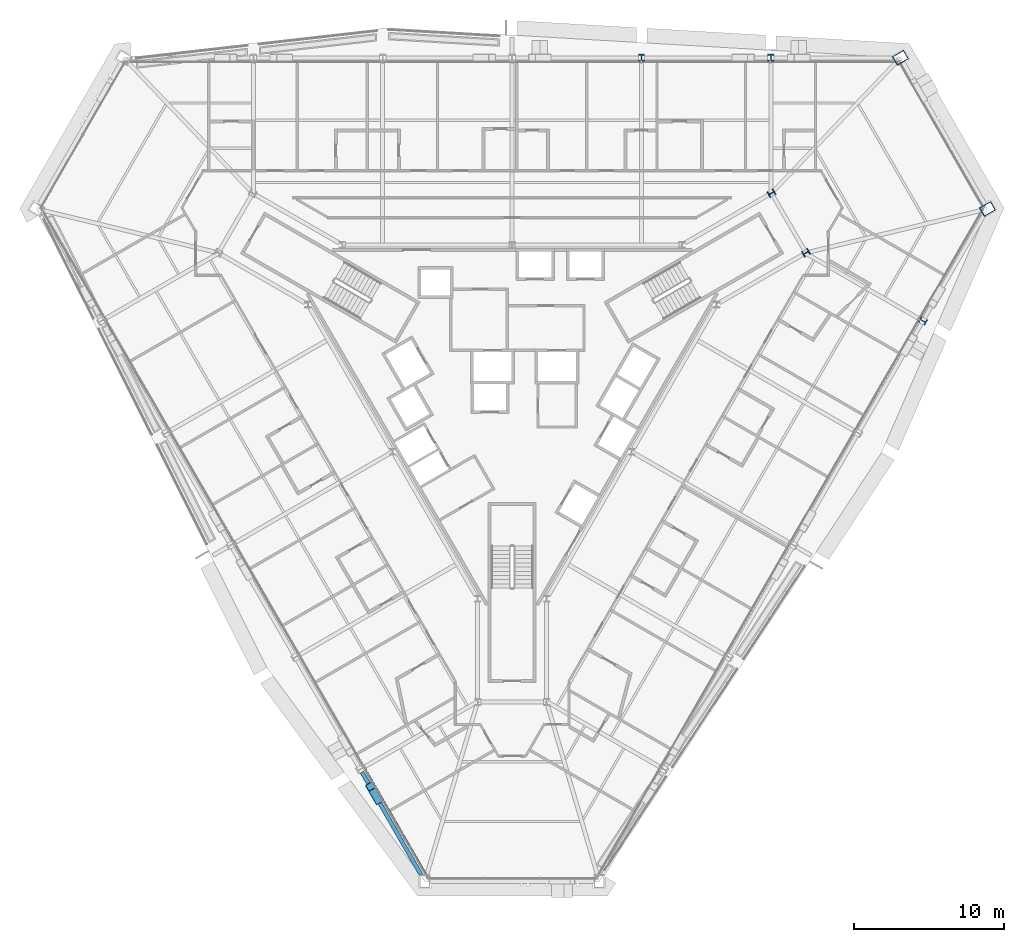
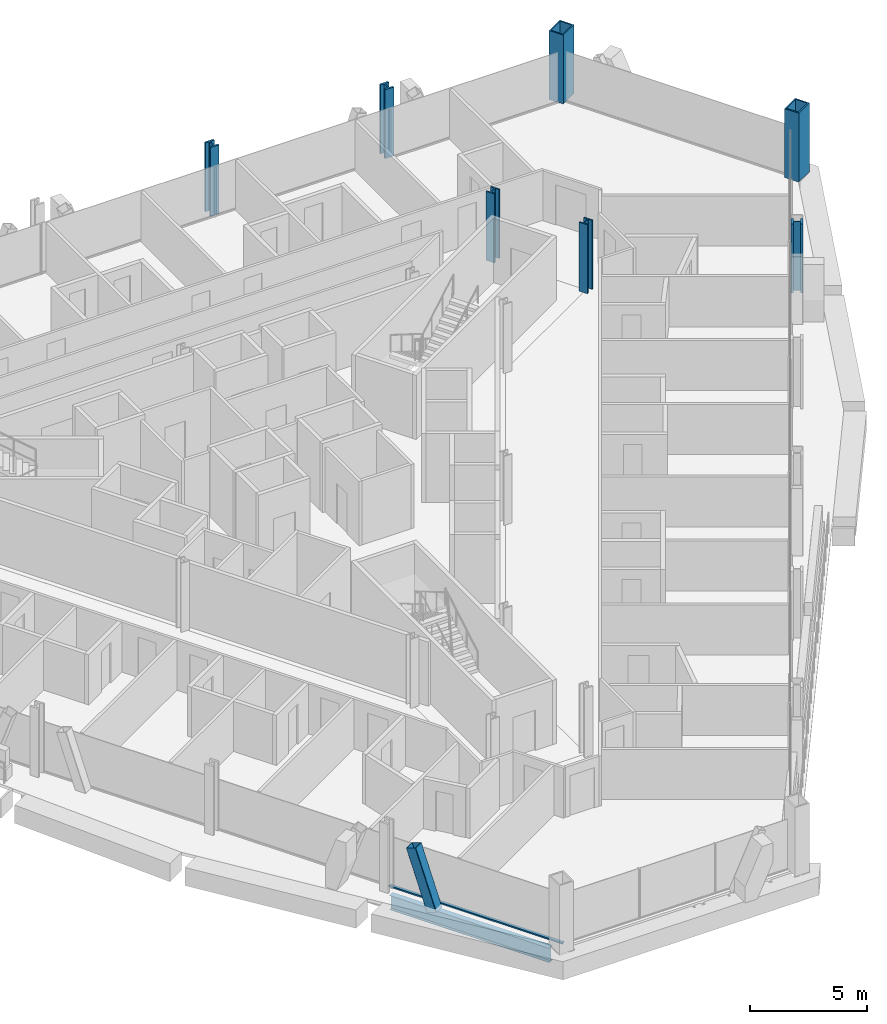
# One storey, part 2 of 18: 7 columns, 2 members, 1 beam, 1 element without a shape of its own.
"""IFC4 building model written with IfcOpenShell, lengths in metres."""

from ifc_helpers import new_model, si_unit, direction, frame, origin, origin_2d, place, context, subcontext, project, spatial, rectangle, hollow_rectangle, i_section, extrude, material, material_profile, profile_set, type_object, element, aggregate, save


model = new_model("IFC4")

# Units and contexts
model_context = context("Model", 3, precision=1e-05, world=origin(), true_north=direction((0.0, 1.0)))
body_context = subcontext(model_context, "Body", "Model", "MODEL_VIEW")
ifc_project = project(units=[si_unit("LENGTHUNIT", "METRE"), si_unit("AREAUNIT", "SQUARE_METRE"), si_unit("VOLUMEUNIT", "CUBIC_METRE"), si_unit("PLANEANGLEUNIT", "RADIAN"), si_unit("MASSUNIT", "GRAM", prefix="KILO")], contexts=[model_context])

# Site, building, storey
site_placement = place(None, origin())
site = spatial("IfcSite", under=ifc_project, at=site_placement, CompositionType="ELEMENT")
building_placement = place(site_placement, origin())
building = spatial("IfcBuilding", under=site, at=building_placement, Name="Verrane Prism Tower", CompositionType="ELEMENT")
storey_placement = place(building_placement, frame((0.0, 0.0, 80.0)))
storey = spatial("IfcBuildingStorey", under=building, at=storey_placement, Name="L18", CompositionType="ELEMENT", Elevation=80.0)

# Columns
ifc_material_1 = material(Name="Steel A992", Category="steel")
ifc_material_profile_1 = material_profile(ifc_material_1, i_section(OverallWidth=0.419189453125, OverallDepth=0.45458984375, WebThickness=0.042236328125, FlangeThickness=0.067626953125, FilletRadius=0.01513671875, at=origin_2d()), Name="W14x370")
ifc_profile_set_1 = profile_set([ifc_material_profile_1], Name="Steel A992")
column_type_1 = type_object("IfcColumnType", Name="Core corner column W14x370", PredefinedType="COLUMN", material=ifc_profile_set_1)
for number, where, z_axis, x_axis, name in (
    (1, (19.60009765625, 8.659912109375, 0.0), (0.0, 0.0, 1.0), (0.5, -0.866025403784, 0.0), "Core corner column CK-NEm L18"),
    (2, (17.300048828125, 12.639892578125, 0.0), (0.0, 0.0, 1.0), (0.5, -0.866025403784, 0.0), "Core corner column CK-NEp L18"),
):
    element("IfcColumn", number, at=place(storey_placement, frame(where, z_axis=z_axis, x_axis=x_axis)), inside=storey, type_object=column_type_1, Name=name, PredefinedType="COLUMN", context=body_context, shape_type="SweptSolid", body=[
        extrude(i_section(OverallWidth=0.419189453125, OverallDepth=0.45458984375, WebThickness=0.042236328125, FlangeThickness=0.067626953125, FilletRadius=0.01513671875, at=origin_2d()), origin(), (0.0, 0.0, 1.0), 3.60009765625),
    ])
ifc_material_2 = material(Name="Steel A572 Grade 50", Category="steel")
ifc_material_profile_2 = material_profile(ifc_material_2, hollow_rectangle(XDim=0.699951171875, YDim=0.89990234375, WallThickness=0.06494140625, at=origin_2d()), Name="BOX 900x700x65")
ifc_profile_set_2 = profile_set([ifc_material_profile_2], Name="Steel A572 Grade 50")
column_type_2 = type_object("IfcColumnType", Name="Megacolumn BOX 900x700x65", PredefinedType="COLUMN", material=ifc_profile_set_2)
for number, where, z_axis, x_axis, name in (
    (3, (25.89990234375, 21.669921875, 0.0), (0.0, 0.0, 1.0), (0.5, -0.866025403784, 0.0), "Megacolumn MC-NE.b L18"),
    (4, (31.7099609375, 11.590087890625, 0.0), (0.0, 0.0, 1.0), (0.5, -0.866025403784, 0.0), "Megacolumn MC-NE.a L18"),
):
    element("IfcColumn", number, at=place(storey_placement, frame(where, z_axis=z_axis, x_axis=x_axis)), inside=storey, type_object=column_type_2, Name=name, PredefinedType="COLUMN", context=body_context, shape_type="SweptSolid", body=[
        extrude(hollow_rectangle(XDim=0.699951171875, YDim=0.89990234375, WallThickness=0.06494140625, at=origin_2d()), origin(), (0.0, 0.0, 1.0), 3.60009765625),
    ])
ifc_material_3 = material(Name="Steel A992", Category="steel")
ifc_material_profile_3 = material_profile(ifc_material_3, i_section(OverallWidth=0.431884765625, OverallDepth=0.497802734375, WebThickness=0.0556640625, FlangeThickness=0.0888671875, FilletRadius=0.01513671875, at=origin_2d()), Name="W14x500")
ifc_profile_set_3 = profile_set([ifc_material_profile_3], Name="Steel A992")
column_type_3 = type_object("IfcColumnType", Name="Perimeter column W14x500", PredefinedType="COLUMN", material=ifc_profile_set_3)
for number, where, z_axis, x_axis, name in (
    (5, (17.260009765625, 21.669921875, 0.0), (0.0, 0.0, 1.0), (1.0, 0.0, 0.0), "Perimeter column PC-N1 L18"),
    (6, (8.6298828125, 21.669921875, 0.0), (0.0, 0.0, 1.0), (1.0, 0.0, 0.0), "Perimeter column PC-N2 L18"),
    (7, (27.39990234375, 4.1201171875, 0.0), (0.0, 0.0, 1.0), (-0.5, -0.866025403784, 0.0), "Perimeter column PC-SE5 L18"),
):
    element("IfcColumn", number, at=place(storey_placement, frame(where, z_axis=z_axis, x_axis=x_axis)), inside=storey, type_object=column_type_3, Name=name, PredefinedType="COLUMN", context=body_context, shape_type="SweptSolid", body=[
        extrude(i_section(OverallWidth=0.431884765625, OverallDepth=0.497802734375, WebThickness=0.0556640625, FlangeThickness=0.0888671875, FilletRadius=0.01513671875, at=origin_2d()), origin(), (0.0, 0.0, 1.0), 3.60009765625),
    ])

# Member
ifc_material_4 = material(Name="Steel A1085 Grade A", Category="steel")
ifc_material_profile_4 = material_profile(ifc_material_4, hollow_rectangle(XDim=0.508056640625, YDim=0.508056640625, WallThickness=0.025390625, InnerFilletRadius=0.0126953125, OuterFilletRadius=0.0380859375, at=origin_2d()), Name="HSS20x20x1")
ifc_profile_set_4 = profile_set([ifc_material_profile_4], Name="Steel A1085 Grade A")
member_type_1 = type_object("IfcMemberType", Name="Facade brace HSS20x20x1", PredefinedType="BRACE", material=ifc_profile_set_4)
member_1_placement = place(storey_placement, frame((-8.94921875, -27.836669921875, -0.24267578125), z_axis=(-0.161782563758, 0.280489656102, 0.946124703664), x_axis=(-0.866236902684, -0.499633494102, 0.0)))
element("IfcMember", 8, at=member_1_placement, inside=storey, type_object=member_type_1, Name="Facade brace SW5 L18", PredefinedType="BRACE", context=body_context, shape_type="SweptSolid", body=[
    extrude(hollow_rectangle(XDim=0.508056640625, YDim=0.508056640625, WallThickness=0.025390625, InnerFilletRadius=0.0126953125, OuterFilletRadius=0.0380859375, at=origin_2d()), origin(), (0.0, 0.0, 1.0), 3.1796875),
])

# Beam
ifc_material_5 = material(Name="Steel A992", Category="steel")
ifc_material_profile_5 = material_profile(ifc_material_5, i_section(OverallWidth=0.2666015625, OverallDepth=0.7568359375, WebThickness=0.013916015625, FlangeThickness=0.019287109375, FilletRadius=0.0166015625, at=origin_2d()), Name="W30x108")
ifc_profile_set_5 = profile_set([ifc_material_profile_5], Name="Steel A992")
beam_type = type_object("IfcBeamType", Name="Spandrel beam W30x108", PredefinedType="SPANDREL", material=ifc_profile_set_5)
beam_placement = place(storey_placement, frame((-10.022216796875, -25.97705078125, -0.53857421875), z_axis=(0.499770677184, -0.866157762897, 0.0), x_axis=(0.866157762897, 0.499770677184, 0.0)))
element("IfcBeam", 9, at=beam_placement, inside=storey, type_object=beam_type, Name="Spandrel beam L18", PredefinedType="SPANDREL", context=body_context, shape_type="SweptSolid", body=[
    extrude(i_section(OverallWidth=0.2666015625, OverallDepth=0.7568359375, WebThickness=0.013916015625, FlangeThickness=0.019287109375, FilletRadius=0.0166015625, at=origin_2d()), origin(), (0.0, 0.0, 1.0), 7.888916015625),
])

# Curtain wall, member
ifc_material_6 = material(Name="Aluminium framed insulated glazing", Category="aluminium")
curtain_wall_type = type_object("IfcCurtainWallType", Name="Curtain wall CW-A 8400 module", PredefinedType="NOTDEFINED", material=ifc_material_6)
curtain_wall_placement = place(storey_placement, origin())
curtain_wall = element("IfcCurtainWall", 10, at=curtain_wall_placement, inside=storey, type_object=curtain_wall_type, Name="Glazed curtain wall south-west face L18", PredefinedType="NOTDEFINED")
ifc_material_7 = material(Name="Aluminium alloy 6063-T6", Category="aluminium")
ifc_material_profile_6 = material_profile(ifc_material_7, rectangle(XDim=0.14990234375, YDim=0.070068359375, at=origin_2d()), Name="Transom 70x150 aluminium")
ifc_profile_set_6 = profile_set([ifc_material_profile_6], Name="Aluminium alloy 6063-T6")
member_type_2 = type_object("IfcMemberType", Name="Transom 70x150 aluminium", PredefinedType="USERDEFINED", material=ifc_profile_set_6)
member_2_placement = place(storey_placement, frame((-9.900146484375, -25.634521484375, 0.034912109375), z_axis=(0.499998569178, -0.866026229868, 0.0), x_axis=(0.866026229868, 0.499998569178, 0.0)))
member_2 = element("IfcMember", 11, at=member_2_placement, type_object=member_type_2, Name="CW17.4 transom 6", ObjectType="TRANSOM", PredefinedType="USERDEFINED", context=body_context, shape_type="SweptSolid", body=[
    extrude(rectangle(XDim=0.14990234375, YDim=0.070068359375, at=origin_2d()), origin(), (0.0, 0.0, 1.0), 8.572265625),
])
aggregate(curtain_wall, [member_2])

save(model, "model.ifc")
